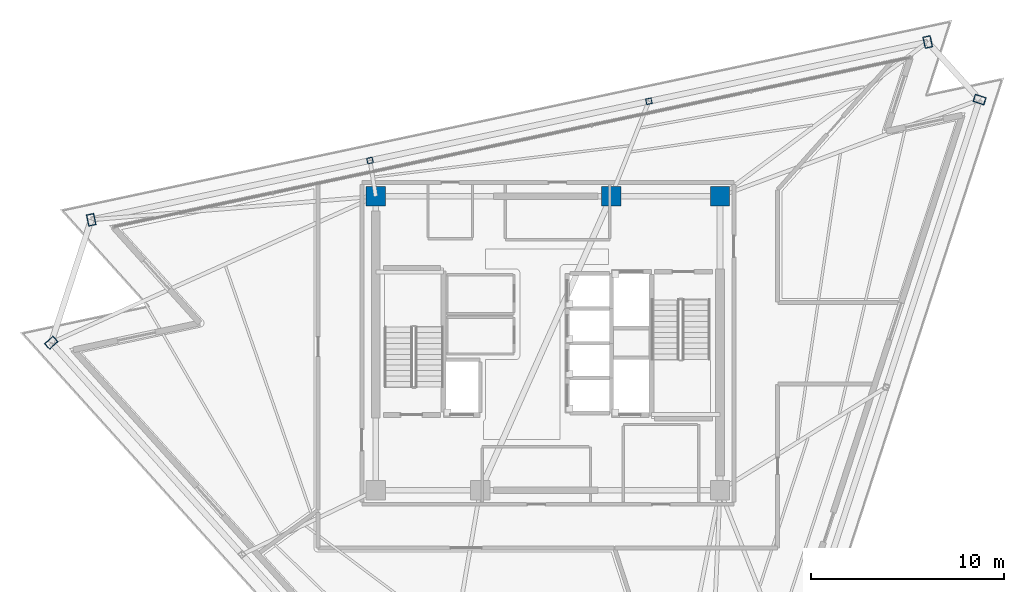
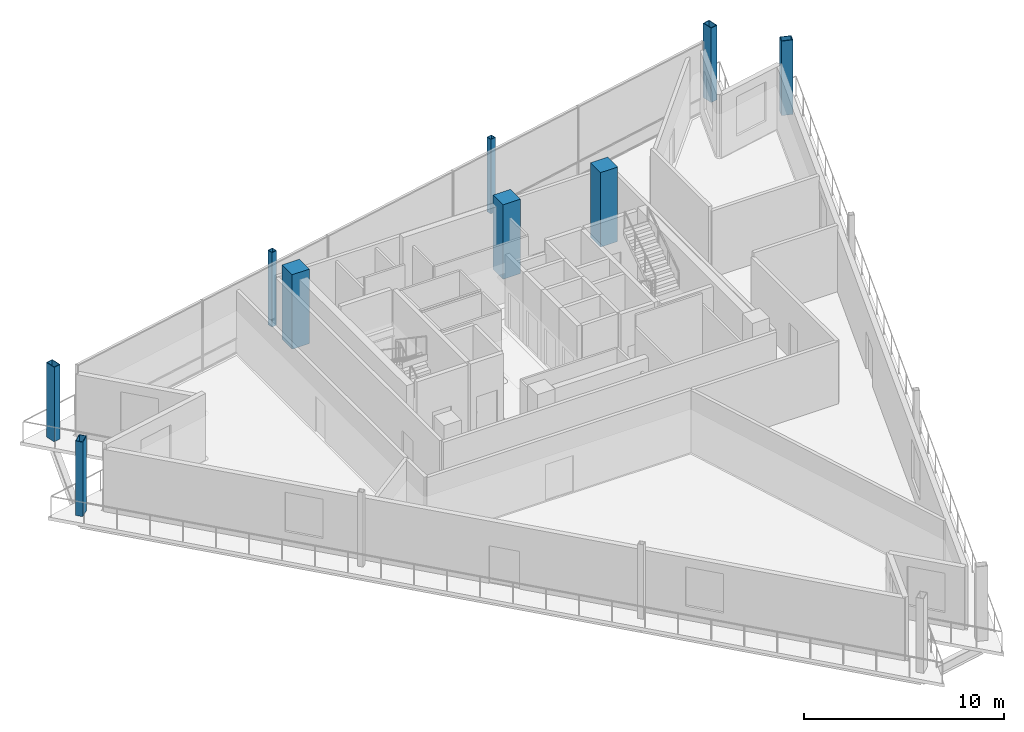
# One storey, part 2 of 11: 9 columns.
"""IFC4 building model written with IfcOpenShell, lengths in metres."""

from ifc_helpers import new_model, si_unit, direction, frame, origin, origin_2d, place, context, subcontext, project, spatial, rectangle, hollow_rectangle, extrude, material, material_profile, profile_set, type_object, element, save


model = new_model("IFC4")

# Units and contexts
model_context = context("Model", 3, precision=1e-05, world=origin(), true_north=direction((0.0, 1.0)))
body_context = subcontext(model_context, "Body", "Model", "MODEL_VIEW")
ifc_project = project(units=[si_unit("LENGTHUNIT", "METRE"), si_unit("AREAUNIT", "SQUARE_METRE"), si_unit("VOLUMEUNIT", "CUBIC_METRE"), si_unit("PLANEANGLEUNIT", "RADIAN"), si_unit("MASSUNIT", "GRAM", prefix="KILO")], contexts=[model_context])

# Site, building, storey
site_placement = place(None, origin())
site = spatial("IfcSite", under=ifc_project, at=site_placement, CompositionType="ELEMENT")
building_placement = place(site_placement, origin())
building = spatial("IfcBuilding", under=site, at=building_placement, Name="Tharavind Bronze Gate", CompositionType="ELEMENT")
storey_placement = place(building_placement, frame((0.0, 0.0, 306.300048828125)))
storey = spatial("IfcBuildingStorey", under=building, at=storey_placement, Name="L79", CompositionType="ELEMENT", Elevation=306.300048828125)

# Columns
ifc_material_1 = material(Name="Steel S460", Category="steel")
ifc_material_profile_1 = material_profile(ifc_material_1, hollow_rectangle(XDim=0.39990234375, YDim=0.60009765625, WallThickness=0.030029296875, at=origin_2d()), Name="RHS600X400X30")
ifc_profile_set_1 = profile_set([ifc_material_profile_1], Name="Steel S460")
column_type_1 = type_object("IfcColumnType", Name="CORNER NOTCH COLUMN RHS600X400", PredefinedType="COLUMN", material=ifc_profile_set_1)
for number, where, z_axis, x_axis, name in (
    (1, (-25.6787109375, 0.03173828125, 0.0), (0.0, 0.0, 1.0), (-0.669130606359, 0.743144825477, 0.0), "L79 perimeter column S1C1"),
    (2, (22.319091796875, 12.599609375, 0.0), (0.0, 0.0, 1.0), (0.309018654281, 0.951055976957, 0.0), "L79 perimeter column S2C4"),
    (3, (19.63720703125, 15.578125, 0.0), (0.0, 0.0, 1.0), (0.978147237858, 0.207913398007, 0.0), "L79 perimeter column S3C1"),
    (4, (-23.614501953125, 6.384765625, 0.0), (0.0, 0.0, 1.0), (0.978147237858, 0.207913398007, 0.0), "L79 perimeter column S3C4"),
):
    element("IfcColumn", number, at=place(storey_placement, frame(where, z_axis=z_axis, x_axis=x_axis)), inside=storey, type_object=column_type_1, Name=name, PredefinedType="COLUMN", context=body_context, shape_type="SweptSolid", body=[
        extrude(hollow_rectangle(XDim=0.39990234375, YDim=0.60009765625, WallThickness=0.030029296875, at=origin_2d()), origin(), (0.0, 0.0, 1.0), 4.550048828125),
    ])
ifc_material_2 = material(Name="Concrete C50/60", Category="concrete")
ifc_material_profile_2 = material_profile(ifc_material_2, rectangle(XDim=1.0, YDim=1.0, at=origin_2d()), Name="RCCOL1000")
ifc_profile_set_2 = profile_set([ifc_material_profile_2], Name="Concrete C50/60")
column_type_2 = type_object("IfcColumnType", Name="MEGA CORE COLUMN 1000", PredefinedType="COLUMN", material=ifc_profile_set_2)
for number, where, z_axis, x_axis, name in (
    (5, (8.89990234375, 7.60009765625, 0.0), (0.0, 0.0, 1.0), (1.0, 0.0, 0.0), "L79 core mega column MC4"),
    (6, (3.280029296875, 7.60009765625, 0.0), (0.0, 0.0, 1.0), (1.0, 0.0, 0.0), "L79 core mega column MC5"),
    (7, (-8.89990234375, 7.60009765625, 0.0), (0.0, 0.0, 1.0), (1.0, 0.0, 0.0), "L79 core mega column MC6"),
):
    element("IfcColumn", number, at=place(storey_placement, frame(where, z_axis=z_axis, x_axis=x_axis)), inside=storey, type_object=column_type_2, Name=name, PredefinedType="COLUMN", context=body_context, shape_type="SweptSolid", body=[
        extrude(rectangle(XDim=1.0, YDim=1.0, at=origin_2d()), origin(), (0.0, 0.0, 1.0), 4.550048828125),
    ])
ifc_material_profile_3 = material_profile(ifc_material_1, hollow_rectangle(XDim=0.300048828125, YDim=0.300048828125, WallThickness=0.02001953125, at=origin_2d()), Name="SHS300X20")
ifc_profile_set_3 = profile_set([ifc_material_profile_3], Name="Steel S460")
column_type_3 = type_object("IfcColumnType", Name="PERIMETER BOX COLUMN SHS300", PredefinedType="COLUMN", material=ifc_profile_set_3)
for number, where, z_axis, x_axis, name in (
    (8, (5.219970703125, 12.513671875, 0.0), (0.0, 0.0, 1.0), (0.978147237858, 0.207913398007, 0.0), "L79 perimeter column S3C2"),
    (9, (-9.197265625, 9.44921875, 0.0), (0.0, 0.0, 1.0), (0.978147237858, 0.207913398007, 0.0), "L79 perimeter column S3C3"),
):
    element("IfcColumn", number, at=place(storey_placement, frame(where, z_axis=z_axis, x_axis=x_axis)), inside=storey, type_object=column_type_3, Name=name, PredefinedType="COLUMN", context=body_context, shape_type="SweptSolid", body=[
        extrude(hollow_rectangle(XDim=0.300048828125, YDim=0.300048828125, WallThickness=0.02001953125, at=origin_2d()), origin(), (0.0, 0.0, 1.0), 4.550048828125),
    ])

save(model, "model.ifc")
